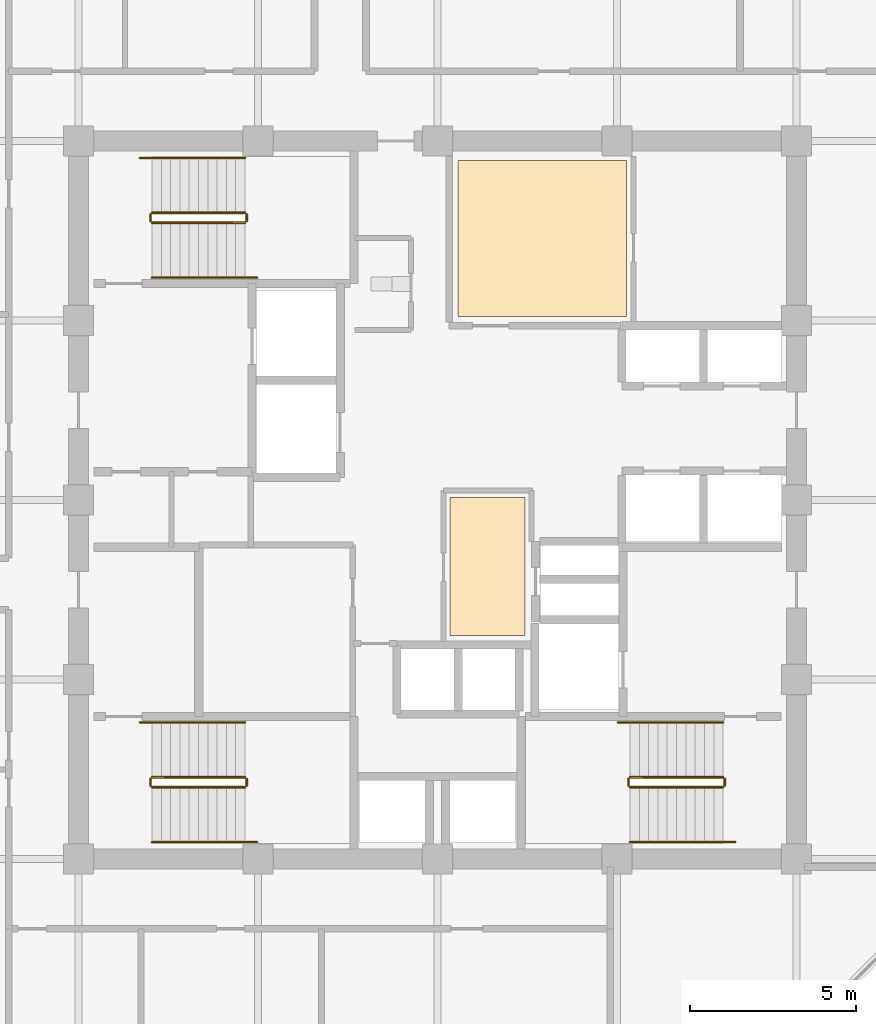
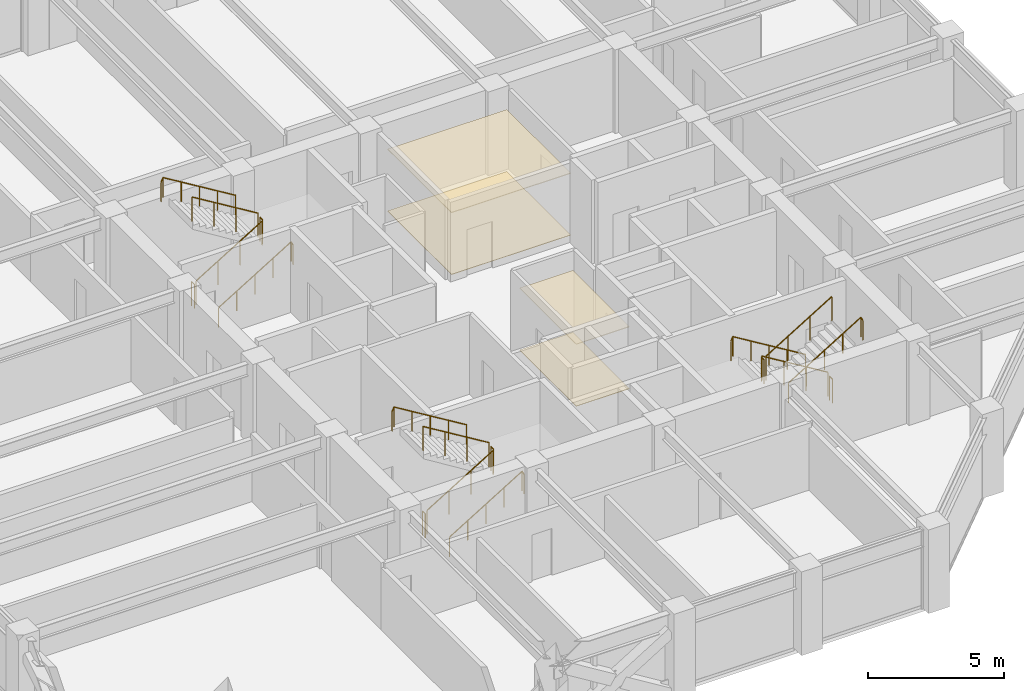
# One storey, part 31 of 32: 18 railings, 4 coverings.
"""IFC4 building model written with IfcOpenShell, lengths in metres."""

from ifc_helpers import new_model, si_unit, direction, frame, origin, origin_2d, place, context, subcontext, project, spatial, polyline, circle, outline, extrude, material, layer, layer_set, type_object, element, save


model = new_model("IFC4")

# Units and contexts
model_context = context("Model", 3, precision=1e-05, world=origin(), true_north=direction((0.0, 1.0)))
body_context = subcontext(model_context, "Body", "Model", "MODEL_VIEW")
ifc_project = project(units=[si_unit("LENGTHUNIT", "METRE"), si_unit("AREAUNIT", "SQUARE_METRE"), si_unit("VOLUMEUNIT", "CUBIC_METRE"), si_unit("PLANEANGLEUNIT", "RADIAN"), si_unit("MASSUNIT", "GRAM", prefix="KILO")], contexts=[model_context])

# Site, building, storey
site_placement = place(None, origin())
site = spatial("IfcSite", under=ifc_project, at=site_placement, CompositionType="ELEMENT")
building_placement = place(site_placement, origin())
building = spatial("IfcBuilding", under=site, at=building_placement, Name="Surkhivell Harbour Commons", CompositionType="ELEMENT")
storey_placement = place(building_placement, frame((0.0, 0.0, 204.75)))
storey = spatial("IfcBuildingStorey", under=building, at=storey_placement, Name="L53", CompositionType="ELEMENT", Elevation=204.75)

# Coverings
ifc_material_1 = material(Name="Perforated acoustic mineral-fibre ceiling tile", Category="other")
ifc_layer_1 = layer(ifc_material_1, 0.02490234375)
ifc_layer_set_1 = layer_set([ifc_layer_1], Name="Perforated acoustic mineral-fibre ceiling tile")
covering_type_1 = type_object("IfcCoveringType", Name="COV-CEIL-AC", PredefinedType="CEILING", material=ifc_layer_set_1)
covering_1_placement = place(storey_placement, frame((0.0, 0.0, 2.77490234375)))
element("IfcCovering", 1, at=covering_1_placement, inside=storey, type_object=covering_type_1, Name="L53 Suspended Acoustic Ceiling 1", PredefinedType="CEILING", context=body_context, shape_type="SweptSolid", body=[
    extrude(outline(polyline([(0.3701171875, -4.080078125), (2.6298828125, -4.080078125), (2.6298828125, 0.080078125), (0.3701171875, 0.080078125), (0.3701171875, -4.080078125)])), origin(), (0.0, 0.0, 1.0), 0.025146484375),
])
ifc_material_2 = material(Name="Moisture-resistant gypsum acoustic ceiling board", Category="other")
ifc_layer_2 = layer(ifc_material_2, 0.030029296875)
ifc_layer_set_2 = layer_set([ifc_layer_2], Name="Moisture-resistant gypsum acoustic ceiling board")
covering_type_2 = type_object("IfcCoveringType", Name="COV-CEIL-GYP", PredefinedType="CEILING", material=ifc_layer_set_2)
covering_2_placement = place(storey_placement, frame((0.0, 0.0, 2.77001953125)))
element("IfcCovering", 2, at=covering_2_placement, inside=storey, type_object=covering_type_2, Name="L53 Suspended Acoustic Ceiling 2", PredefinedType="CEILING", context=body_context, shape_type="SweptSolid", body=[
    extrude(outline(polyline([(0.6201171875, 5.52001953125), (5.679931640625, 5.52001953125), (5.679931640625, 10.219970703125), (0.6201171875, 10.219970703125), (0.6201171875, 5.52001953125)])), origin(), (0.0, 0.0, 1.0), 0.030029296875),
])
ifc_material_3 = material(Name="Engineered acoustic oak timber flooring", Category="wood")
ifc_layer_3 = layer(ifc_material_3, 0.02001953125)
ifc_layer_set_3 = layer_set([ifc_layer_3], Name="Engineered acoustic oak timber flooring")
covering_type_3 = type_object("IfcCoveringType", Name="COV-FLR-TIM", PredefinedType="FLOORING", material=ifc_layer_set_3)
covering_3_placement = place(storey_placement, origin())
element("IfcCovering", 3, at=covering_3_placement, inside=storey, type_object=covering_type_3, Name="L53 Interior Floor Finish 1", PredefinedType="FLOORING", context=body_context, shape_type="SweptSolid", body=[
    extrude(outline(polyline([(0.3701171875, -4.080078125), (2.6298828125, -4.080078125), (2.6298828125, 0.080078125), (0.3701171875, 0.080078125), (0.3701171875, -4.080078125)])), origin(), (0.0, 0.0, 1.0), 0.02001953125),
])
covering_4_placement = place(storey_placement, origin())
element("IfcCovering", 4, at=covering_4_placement, inside=storey, type_object=covering_type_3, Name="L53 Interior Floor Finish 2", PredefinedType="FLOORING", context=body_context, shape_type="SweptSolid", body=[
    extrude(outline(polyline([(0.6201171875, 5.52001953125), (5.679931640625, 5.52001953125), (5.679931640625, 10.219970703125), (0.6201171875, 10.219970703125), (0.6201171875, 5.52001953125)])), origin(), (0.0, 0.0, 1.0), 0.02001953125),
])

# Railings
ifc_material_4 = material(Name="Galvanised and painted steel S355 guard rail", Category="steel")
railing_type_1 = type_object("IfcRailingType", Name="RAL-ST-GRD1100", PredefinedType="GUARDRAIL", material=ifc_material_4)
railing_1_placement = place(storey_placement, frame((-8.590087890625, 8.340087890625, 0.17041015625)))
element("IfcRailing", 5, at=railing_1_placement, inside=storey, type_object=railing_type_1, Name="L53 ST1 stair guard 1", PredefinedType="GUARDRAIL", context=body_context, shape_type="SweptSolid", body=[
    extrude(circle(Radius=0.02392578125, at=origin_2d()), frame((0.0, 0.0, 1.076171875), z_axis=(0.854169791009, 0.0, 0.51999420009), x_axis=(0.0, 1.0, 0.0)), (0.0, 0.0, 1.0), 3.278076171875),
    extrude(circle(Radius=0.02099609375, at=origin_2d()), origin(), (0.0, 0.0, 1.0), 1.052001953125),
    extrude(circle(Radius=0.02099609375, at=origin_2d()), frame((0.933349609375, 0.0, 0.568115234375)), (0.0, 0.0, 1.0), 1.052001953125),
    extrude(circle(Radius=0.02099609375, at=origin_2d()), frame((1.86669921875, 0.0, 1.136474609375)), (0.0, 0.0, 1.0), 1.052001953125),
    extrude(circle(Radius=0.02099609375, at=origin_2d()), frame((2.800048828125, 0.0, 1.70458984375)), (0.0, 0.0, 1.0), 1.052001953125),
])
railing_2_placement = place(storey_placement, frame((-5.739990234375, 8.389892578125, 1.875)))
element("IfcRailing", 6, at=railing_2_placement, inside=storey, type_object=railing_type_1, Name="L53 ST1 stair guard 2", PredefinedType="GUARDRAIL", context=body_context, shape_type="SweptSolid", body=[
    extrude(circle(Radius=0.02392578125, at=origin_2d()), frame((0.0, 0.0, 1.076171875), z_axis=(0.0, 1.0, 0.0), x_axis=(-1.0, 0.0, 0.0)), (0.0, 0.0, 1.0), 0.2001953125),
    extrude(circle(Radius=0.02099609375, at=origin_2d()), origin(), (0.0, 0.0, 1.0), 1.052001953125),
    extrude(circle(Radius=0.02099609375, at=origin_2d()), frame((0.0, 0.2001953125, 0.0)), (0.0, 0.0, 1.0), 1.052001953125),
])
railing_3_placement = place(storey_placement, frame((-5.7900390625, 8.639892578125, 2.04541015625)))
element("IfcRailing", 7, at=railing_3_placement, inside=storey, type_object=railing_type_1, Name="L53 ST1 stair guard 3", PredefinedType="GUARDRAIL", context=body_context, shape_type="SweptSolid", body=[
    extrude(circle(Radius=0.02392578125, at=origin_2d()), frame((0.0, 0.0, 1.076171875), z_axis=(-0.854169791009, 0.0, 0.51999420009), x_axis=(0.0, -1.0, 0.0)), (0.0, 0.0, 1.0), 3.278076171875),
    extrude(circle(Radius=0.02099609375, at=origin_2d()), origin(), (0.0, 0.0, 1.0), 1.052001953125),
    extrude(circle(Radius=0.02099609375, at=origin_2d()), frame((-0.933349609375, 0.0, 0.568115234375)), (0.0, 0.0, 1.0), 1.052001953125),
    extrude(circle(Radius=0.02099609375, at=origin_2d()), frame((-1.86669921875, 0.0, 1.136474609375)), (0.0, 0.0, 1.0), 1.052001953125),
    extrude(circle(Radius=0.02099609375, at=origin_2d()), frame((-2.800048828125, 0.0, 1.70458984375)), (0.0, 0.0, 1.0), 1.052001953125),
])
railing_4_placement = place(storey_placement, frame((-8.639892578125, 8.389892578125, 0.0)))
element("IfcRailing", 8, at=railing_4_placement, inside=storey, type_object=railing_type_1, Name="L53 ST1 stair guard 4", PredefinedType="GUARDRAIL", context=body_context, shape_type="SweptSolid", body=[
    extrude(circle(Radius=0.02392578125, at=origin_2d()), frame((0.0, 0.0, 1.076171875), z_axis=(0.0, 1.0, 0.0), x_axis=(-1.0, 0.0, 0.0)), (0.0, 0.0, 1.0), 0.2001953125),
    extrude(circle(Radius=0.02099609375, at=origin_2d()), origin(), (0.0, 0.0, 1.0), 1.052001953125),
    extrude(circle(Radius=0.02099609375, at=origin_2d()), frame((0.0, 0.2001953125, 0.0)), (0.0, 0.0, 1.0), 1.052001953125),
])
railing_5_placement = place(storey_placement, frame((8.590087890625, -8.340087890625, 0.17041015625)))
element("IfcRailing", 9, at=railing_5_placement, inside=storey, type_object=railing_type_1, Name="L53 ST2 stair guard 1", PredefinedType="GUARDRAIL", context=body_context, shape_type="SweptSolid", body=[
    extrude(circle(Radius=0.02392578125, at=origin_2d()), frame((0.0, 0.0, 1.076171875), z_axis=(-0.854169791009, 0.0, 0.51999420009), x_axis=(0.0, -1.0, 0.0)), (0.0, 0.0, 1.0), 3.278076171875),
    extrude(circle(Radius=0.02099609375, at=origin_2d()), origin(), (0.0, 0.0, 1.0), 1.052001953125),
    extrude(circle(Radius=0.02099609375, at=origin_2d()), frame((-0.933349609375, 0.0, 0.568115234375)), (0.0, 0.0, 1.0), 1.052001953125),
    extrude(circle(Radius=0.02099609375, at=origin_2d()), frame((-1.86669921875, 0.0, 1.136474609375)), (0.0, 0.0, 1.0), 1.052001953125),
    extrude(circle(Radius=0.02099609375, at=origin_2d()), frame((-2.800048828125, 0.0, 1.70458984375)), (0.0, 0.0, 1.0), 1.052001953125),
])
railing_6_placement = place(storey_placement, frame((5.739990234375, -8.389892578125, 1.875)))
element("IfcRailing", 10, at=railing_6_placement, inside=storey, type_object=railing_type_1, Name="L53 ST2 stair guard 2", PredefinedType="GUARDRAIL", context=body_context, shape_type="SweptSolid", body=[
    extrude(circle(Radius=0.02392578125, at=origin_2d()), frame((0.0, 0.0, 1.076171875), z_axis=(0.0, -1.0, 0.0), x_axis=(1.0, 0.0, 0.0)), (0.0, 0.0, 1.0), 0.2001953125),
    extrude(circle(Radius=0.02099609375, at=origin_2d()), origin(), (0.0, 0.0, 1.0), 1.052001953125),
    extrude(circle(Radius=0.02099609375, at=origin_2d()), frame((0.0, -0.2001953125, 0.0)), (0.0, 0.0, 1.0), 1.052001953125),
])
railing_7_placement = place(storey_placement, frame((5.7900390625, -8.639892578125, 2.04541015625)))
element("IfcRailing", 11, at=railing_7_placement, inside=storey, type_object=railing_type_1, Name="L53 ST2 stair guard 3", PredefinedType="GUARDRAIL", context=body_context, shape_type="SweptSolid", body=[
    extrude(circle(Radius=0.02392578125, at=origin_2d()), frame((0.0, 0.0, 1.076171875), z_axis=(0.854169791009, 0.0, 0.51999420009), x_axis=(0.0, 1.0, 0.0)), (0.0, 0.0, 1.0), 3.278076171875),
    extrude(circle(Radius=0.02099609375, at=origin_2d()), origin(), (0.0, 0.0, 1.0), 1.052001953125),
    extrude(circle(Radius=0.02099609375, at=origin_2d()), frame((0.933349609375, 0.0, 0.568115234375)), (0.0, 0.0, 1.0), 1.052001953125),
    extrude(circle(Radius=0.02099609375, at=origin_2d()), frame((1.86669921875, 0.0, 1.136474609375)), (0.0, 0.0, 1.0), 1.052001953125),
    extrude(circle(Radius=0.02099609375, at=origin_2d()), frame((2.800048828125, 0.0, 1.70458984375)), (0.0, 0.0, 1.0), 1.052001953125),
])
railing_8_placement = place(storey_placement, frame((8.639892578125, -8.389892578125, 0.0)))
element("IfcRailing", 12, at=railing_8_placement, inside=storey, type_object=railing_type_1, Name="L53 ST2 stair guard 4", PredefinedType="GUARDRAIL", context=body_context, shape_type="SweptSolid", body=[
    extrude(circle(Radius=0.02392578125, at=origin_2d()), frame((0.0, 0.0, 1.076171875), z_axis=(0.0, -1.0, 0.0), x_axis=(1.0, 0.0, 0.0)), (0.0, 0.0, 1.0), 0.2001953125),
    extrude(circle(Radius=0.02099609375, at=origin_2d()), origin(), (0.0, 0.0, 1.0), 1.052001953125),
    extrude(circle(Radius=0.02099609375, at=origin_2d()), frame((0.0, -0.2001953125, 0.0)), (0.0, 0.0, 1.0), 1.052001953125),
])
railing_9_placement = place(storey_placement, frame((-8.590087890625, -8.639892578125, 0.17041015625)))
element("IfcRailing", 13, at=railing_9_placement, inside=storey, type_object=railing_type_1, Name="L53 ST3 stair guard 1", PredefinedType="GUARDRAIL", context=body_context, shape_type="SweptSolid", body=[
    extrude(circle(Radius=0.02392578125, at=origin_2d()), frame((0.0, 0.0, 1.076171875), z_axis=(0.854169791009, 0.0, 0.51999420009), x_axis=(0.0, 1.0, 0.0)), (0.0, 0.0, 1.0), 3.278076171875),
    extrude(circle(Radius=0.02099609375, at=origin_2d()), origin(), (0.0, 0.0, 1.0), 1.052001953125),
    extrude(circle(Radius=0.02099609375, at=origin_2d()), frame((0.933349609375, 0.0, 0.568115234375)), (0.0, 0.0, 1.0), 1.052001953125),
    extrude(circle(Radius=0.02099609375, at=origin_2d()), frame((1.86669921875, 0.0, 1.136474609375)), (0.0, 0.0, 1.0), 1.052001953125),
    extrude(circle(Radius=0.02099609375, at=origin_2d()), frame((2.800048828125, 0.0, 1.70458984375)), (0.0, 0.0, 1.0), 1.052001953125),
])
railing_10_placement = place(storey_placement, frame((-5.739990234375, -8.590087890625, 1.875)))
element("IfcRailing", 14, at=railing_10_placement, inside=storey, type_object=railing_type_1, Name="L53 ST3 stair guard 2", PredefinedType="GUARDRAIL", context=body_context, shape_type="SweptSolid", body=[
    extrude(circle(Radius=0.02392578125, at=origin_2d()), frame((0.0, 0.0, 1.076171875), z_axis=(0.0, 1.0, 0.0), x_axis=(-1.0, 0.0, 0.0)), (0.0, 0.0, 1.0), 0.2001953125),
    extrude(circle(Radius=0.02099609375, at=origin_2d()), origin(), (0.0, 0.0, 1.0), 1.052001953125),
    extrude(circle(Radius=0.02099609375, at=origin_2d()), frame((0.0, 0.2001953125, 0.0)), (0.0, 0.0, 1.0), 1.052001953125),
])
railing_11_placement = place(storey_placement, frame((-5.7900390625, -8.340087890625, 2.04541015625)))
element("IfcRailing", 15, at=railing_11_placement, inside=storey, type_object=railing_type_1, Name="L53 ST3 stair guard 3", PredefinedType="GUARDRAIL", context=body_context, shape_type="SweptSolid", body=[
    extrude(circle(Radius=0.02392578125, at=origin_2d()), frame((0.0, 0.0, 1.076171875), z_axis=(-0.854169791009, 0.0, 0.51999420009), x_axis=(0.0, -1.0, 0.0)), (0.0, 0.0, 1.0), 3.278076171875),
    extrude(circle(Radius=0.02099609375, at=origin_2d()), origin(), (0.0, 0.0, 1.0), 1.052001953125),
    extrude(circle(Radius=0.02099609375, at=origin_2d()), frame((-0.933349609375, 0.0, 0.568115234375)), (0.0, 0.0, 1.0), 1.052001953125),
    extrude(circle(Radius=0.02099609375, at=origin_2d()), frame((-1.86669921875, 0.0, 1.136474609375)), (0.0, 0.0, 1.0), 1.052001953125),
    extrude(circle(Radius=0.02099609375, at=origin_2d()), frame((-2.800048828125, 0.0, 1.70458984375)), (0.0, 0.0, 1.0), 1.052001953125),
])
railing_12_placement = place(storey_placement, frame((-8.639892578125, -8.590087890625, 0.0)))
element("IfcRailing", 16, at=railing_12_placement, inside=storey, type_object=railing_type_1, Name="L53 ST3 stair guard 4", PredefinedType="GUARDRAIL", context=body_context, shape_type="SweptSolid", body=[
    extrude(circle(Radius=0.02392578125, at=origin_2d()), frame((0.0, 0.0, 1.076171875), z_axis=(0.0, 1.0, 0.0), x_axis=(-1.0, 0.0, 0.0)), (0.0, 0.0, 1.0), 0.2001953125),
    extrude(circle(Radius=0.02099609375, at=origin_2d()), origin(), (0.0, 0.0, 1.0), 1.052001953125),
    extrude(circle(Radius=0.02099609375, at=origin_2d()), frame((0.0, 0.2001953125, 0.0)), (0.0, 0.0, 1.0), 1.052001953125),
])
ifc_material_5 = material(Name="Brushed stainless steel S355 handrail", Category="steel")
railing_type_2 = type_object("IfcRailingType", Name="RAL-ST-HND900", PredefinedType="HANDRAIL", material=ifc_material_5)
railing_13_placement = place(storey_placement, frame((-8.590087890625, 6.68994140625, 0.17041015625)))
element("IfcRailing", 17, at=railing_13_placement, inside=storey, type_object=railing_type_2, Name="L53 ST1 stair handrail 1", PredefinedType="HANDRAIL", context=body_context, shape_type="SweptSolid", body=[
    extrude(circle(Radius=0.02392578125, at=origin_2d()), frame((0.0, 0.0, 0.8759765625), z_axis=(0.854177636135, 0.0, 0.519981313056), x_axis=(0.0, 1.0, 0.0)), (0.0, 0.0, 1.0), 3.60595703125),
    extrude(circle(Radius=0.02392578125, at=origin_2d()), frame((3.080078125, 0.0, 2.7509765625), z_axis=(0.425297416671, 0.0, -0.905053648892), x_axis=(0.0, 1.0, 0.0)), (0.0, 0.0, 1.0), 0.188232421875),
    extrude(circle(Radius=0.02099609375, at=origin_2d()), origin(), (0.0, 0.0, 1.0), 0.851806640625),
    extrude(circle(Radius=0.02099609375, at=origin_2d()), frame((0.77001953125, 0.0, 0.46875)), (0.0, 0.0, 1.0), 0.851806640625),
    extrude(circle(Radius=0.02099609375, at=origin_2d()), frame((1.5400390625, 0.0, 0.9375)), (0.0, 0.0, 1.0), 0.851806640625),
    extrude(circle(Radius=0.02099609375, at=origin_2d()), frame((2.31005859375, 0.0, 1.40625)), (0.0, 0.0, 1.0), 0.851806640625),
    extrude(circle(Radius=0.02099609375, at=origin_2d()), frame((3.080078125, 0.0, 1.875)), (0.0, 0.0, 1.0), 0.851806640625),
    extrude(circle(Radius=0.02099609375, at=origin_2d()), frame((3.16015625, 0.0, 1.70458984375)), (0.0, 0.0, 1.0), 0.851806640625),
])
railing_14_placement = place(storey_placement, frame((-5.7900390625, 10.2900390625, 2.04541015625)))
element("IfcRailing", 18, at=railing_14_placement, inside=storey, type_object=railing_type_2, Name="L53 ST1 stair handrail 2", PredefinedType="HANDRAIL", context=body_context, shape_type="SweptSolid", body=[
    extrude(circle(Radius=0.02392578125, at=origin_2d()), frame((0.0, 0.0, 0.8759765625), z_axis=(-0.854177636135, 0.0, 0.519981313056), x_axis=(0.0, -1.0, 0.0)), (0.0, 0.0, 1.0), 3.60595703125),
    extrude(circle(Radius=0.02392578125, at=origin_2d()), frame((-3.080078125, 0.0, 2.7509765625), z_axis=(-0.424234432967, 0.0, -0.905552398199), x_axis=(0.0, -1.0, 0.0)), (0.0, 0.0, 1.0), 0.188232421875),
    extrude(circle(Radius=0.02099609375, at=origin_2d()), origin(), (0.0, 0.0, 1.0), 0.851806640625),
    extrude(circle(Radius=0.02099609375, at=origin_2d()), frame((-0.77001953125, 0.0, 0.46875)), (0.0, 0.0, 1.0), 0.851806640625),
    extrude(circle(Radius=0.02099609375, at=origin_2d()), frame((-1.5400390625, 0.0, 0.9375)), (0.0, 0.0, 1.0), 0.851806640625),
    extrude(circle(Radius=0.02099609375, at=origin_2d()), frame((-2.31005859375, 0.0, 1.40625)), (0.0, 0.0, 1.0), 0.851806640625),
    extrude(circle(Radius=0.02099609375, at=origin_2d()), frame((-3.080078125, 0.0, 1.875)), (0.0, 0.0, 1.0), 0.851806640625),
    extrude(circle(Radius=0.02099609375, at=origin_2d()), frame((-3.159912109375, 0.0, 1.70458984375)), (0.0, 0.0, 1.0), 0.851806640625),
])
railing_15_placement = place(storey_placement, frame((8.590087890625, -6.68994140625, 0.17041015625)))
element("IfcRailing", 19, at=railing_15_placement, inside=storey, type_object=railing_type_2, Name="L53 ST2 stair handrail 1", PredefinedType="HANDRAIL", context=body_context, shape_type="SweptSolid", body=[
    extrude(circle(Radius=0.02392578125, at=origin_2d()), frame((0.0, 0.0, 0.8759765625), z_axis=(-0.854177636135, 0.0, 0.519981313056), x_axis=(0.0, -1.0, 0.0)), (0.0, 0.0, 1.0), 3.60595703125),
    extrude(circle(Radius=0.02392578125, at=origin_2d()), frame((-3.080078125, 0.0, 2.7509765625), z_axis=(-0.425297416671, 0.0, -0.905053648892), x_axis=(0.0, -1.0, 0.0)), (0.0, 0.0, 1.0), 0.188232421875),
    extrude(circle(Radius=0.02099609375, at=origin_2d()), origin(), (0.0, 0.0, 1.0), 0.851806640625),
    extrude(circle(Radius=0.02099609375, at=origin_2d()), frame((-0.77001953125, 0.0, 0.46875)), (0.0, 0.0, 1.0), 0.851806640625),
    extrude(circle(Radius=0.02099609375, at=origin_2d()), frame((-1.5400390625, 0.0, 0.9375)), (0.0, 0.0, 1.0), 0.851806640625),
    extrude(circle(Radius=0.02099609375, at=origin_2d()), frame((-2.31005859375, 0.0, 1.40625)), (0.0, 0.0, 1.0), 0.851806640625),
    extrude(circle(Radius=0.02099609375, at=origin_2d()), frame((-3.080078125, 0.0, 1.875)), (0.0, 0.0, 1.0), 0.851806640625),
    extrude(circle(Radius=0.02099609375, at=origin_2d()), frame((-3.16015625, 0.0, 1.70458984375)), (0.0, 0.0, 1.0), 0.851806640625),
])
railing_16_placement = place(storey_placement, frame((5.7900390625, -10.2900390625, 2.04541015625)))
element("IfcRailing", 20, at=railing_16_placement, inside=storey, type_object=railing_type_2, Name="L53 ST2 stair handrail 2", PredefinedType="HANDRAIL", context=body_context, shape_type="SweptSolid", body=[
    extrude(circle(Radius=0.02392578125, at=origin_2d()), frame((0.0, 0.0, 0.8759765625), z_axis=(0.854177636135, 0.0, 0.519981313056), x_axis=(0.0, 1.0, 0.0)), (0.0, 0.0, 1.0), 3.60595703125),
    extrude(circle(Radius=0.02392578125, at=origin_2d()), frame((3.080078125, 0.0, 2.7509765625), z_axis=(0.424234432967, 0.0, -0.905552398199), x_axis=(0.0, 1.0, 0.0)), (0.0, 0.0, 1.0), 0.188232421875),
    extrude(circle(Radius=0.02099609375, at=origin_2d()), origin(), (0.0, 0.0, 1.0), 0.851806640625),
    extrude(circle(Radius=0.02099609375, at=origin_2d()), frame((0.77001953125, 0.0, 0.46875)), (0.0, 0.0, 1.0), 0.851806640625),
    extrude(circle(Radius=0.02099609375, at=origin_2d()), frame((1.5400390625, 0.0, 0.9375)), (0.0, 0.0, 1.0), 0.851806640625),
    extrude(circle(Radius=0.02099609375, at=origin_2d()), frame((2.31005859375, 0.0, 1.40625)), (0.0, 0.0, 1.0), 0.851806640625),
    extrude(circle(Radius=0.02099609375, at=origin_2d()), frame((3.080078125, 0.0, 1.875)), (0.0, 0.0, 1.0), 0.851806640625),
    extrude(circle(Radius=0.02099609375, at=origin_2d()), frame((3.159912109375, 0.0, 1.70458984375)), (0.0, 0.0, 1.0), 0.851806640625),
])
railing_17_placement = place(storey_placement, frame((-8.590087890625, -10.2900390625, 0.17041015625)))
element("IfcRailing", 21, at=railing_17_placement, inside=storey, type_object=railing_type_2, Name="L53 ST3 stair handrail 1", PredefinedType="HANDRAIL", context=body_context, shape_type="SweptSolid", body=[
    extrude(circle(Radius=0.02392578125, at=origin_2d()), frame((0.0, 0.0, 0.8759765625), z_axis=(0.854177636135, 0.0, 0.519981313056), x_axis=(0.0, 1.0, 0.0)), (0.0, 0.0, 1.0), 3.60595703125),
    extrude(circle(Radius=0.02392578125, at=origin_2d()), frame((3.080078125, 0.0, 2.7509765625), z_axis=(0.425297416671, 0.0, -0.905053648892), x_axis=(0.0, 1.0, 0.0)), (0.0, 0.0, 1.0), 0.188232421875),
    extrude(circle(Radius=0.02099609375, at=origin_2d()), origin(), (0.0, 0.0, 1.0), 0.851806640625),
    extrude(circle(Radius=0.02099609375, at=origin_2d()), frame((0.77001953125, 0.0, 0.46875)), (0.0, 0.0, 1.0), 0.851806640625),
    extrude(circle(Radius=0.02099609375, at=origin_2d()), frame((1.5400390625, 0.0, 0.9375)), (0.0, 0.0, 1.0), 0.851806640625),
    extrude(circle(Radius=0.02099609375, at=origin_2d()), frame((2.31005859375, 0.0, 1.40625)), (0.0, 0.0, 1.0), 0.851806640625),
    extrude(circle(Radius=0.02099609375, at=origin_2d()), frame((3.080078125, 0.0, 1.875)), (0.0, 0.0, 1.0), 0.851806640625),
    extrude(circle(Radius=0.02099609375, at=origin_2d()), frame((3.16015625, 0.0, 1.70458984375)), (0.0, 0.0, 1.0), 0.851806640625),
])
railing_18_placement = place(storey_placement, frame((-5.7900390625, -6.68994140625, 2.04541015625)))
element("IfcRailing", 22, at=railing_18_placement, inside=storey, type_object=railing_type_2, Name="L53 ST3 stair handrail 2", PredefinedType="HANDRAIL", context=body_context, shape_type="SweptSolid", body=[
    extrude(circle(Radius=0.02392578125, at=origin_2d()), frame((0.0, 0.0, 0.8759765625), z_axis=(-0.854177636135, 0.0, 0.519981313056), x_axis=(0.0, -1.0, 0.0)), (0.0, 0.0, 1.0), 3.60595703125),
    extrude(circle(Radius=0.02392578125, at=origin_2d()), frame((-3.080078125, 0.0, 2.7509765625), z_axis=(-0.424234432967, 0.0, -0.905552398199), x_axis=(0.0, -1.0, 0.0)), (0.0, 0.0, 1.0), 0.188232421875),
    extrude(circle(Radius=0.02099609375, at=origin_2d()), origin(), (0.0, 0.0, 1.0), 0.851806640625),
    extrude(circle(Radius=0.02099609375, at=origin_2d()), frame((-0.77001953125, 0.0, 0.46875)), (0.0, 0.0, 1.0), 0.851806640625),
    extrude(circle(Radius=0.02099609375, at=origin_2d()), frame((-1.5400390625, 0.0, 0.9375)), (0.0, 0.0, 1.0), 0.851806640625),
    extrude(circle(Radius=0.02099609375, at=origin_2d()), frame((-2.31005859375, 0.0, 1.40625)), (0.0, 0.0, 1.0), 0.851806640625),
    extrude(circle(Radius=0.02099609375, at=origin_2d()), frame((-3.080078125, 0.0, 1.875)), (0.0, 0.0, 1.0), 0.851806640625),
    extrude(circle(Radius=0.02099609375, at=origin_2d()), frame((-3.159912109375, 0.0, 1.70458984375)), (0.0, 0.0, 1.0), 0.851806640625),
])

save(model, "model.ifc")
